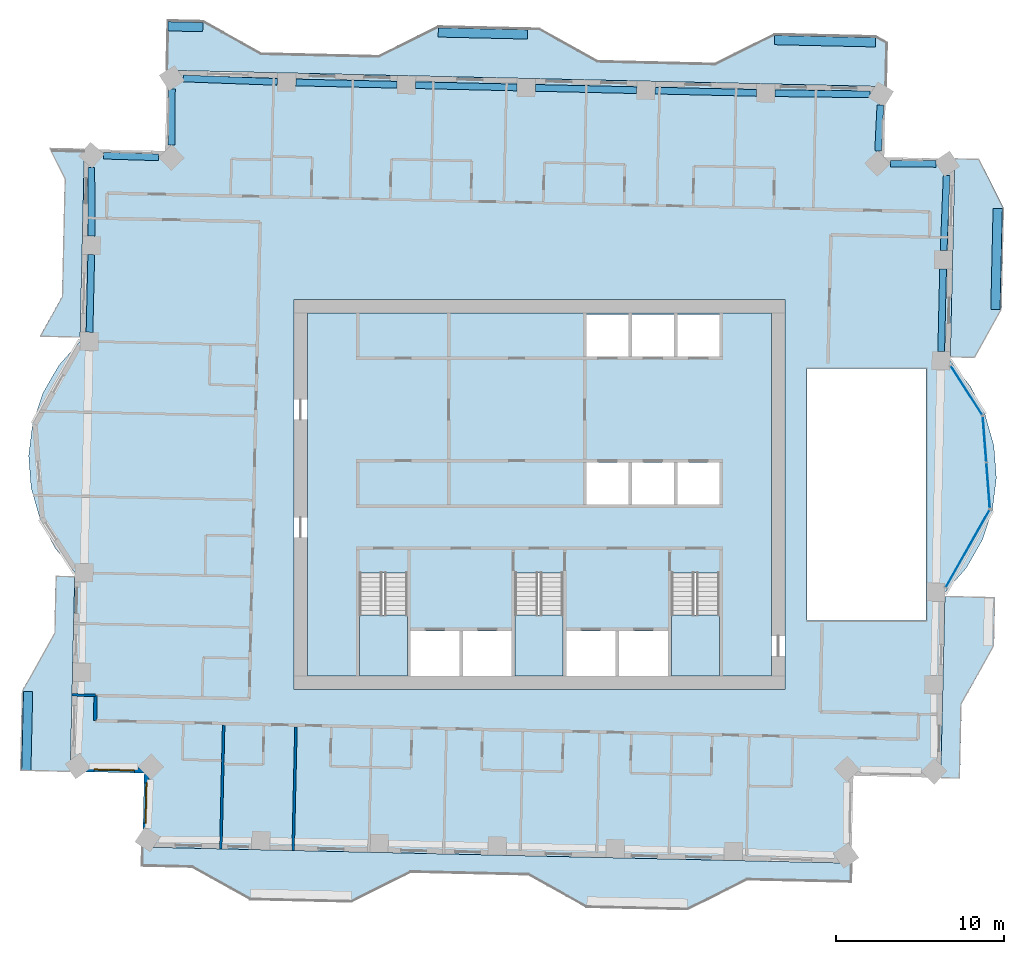
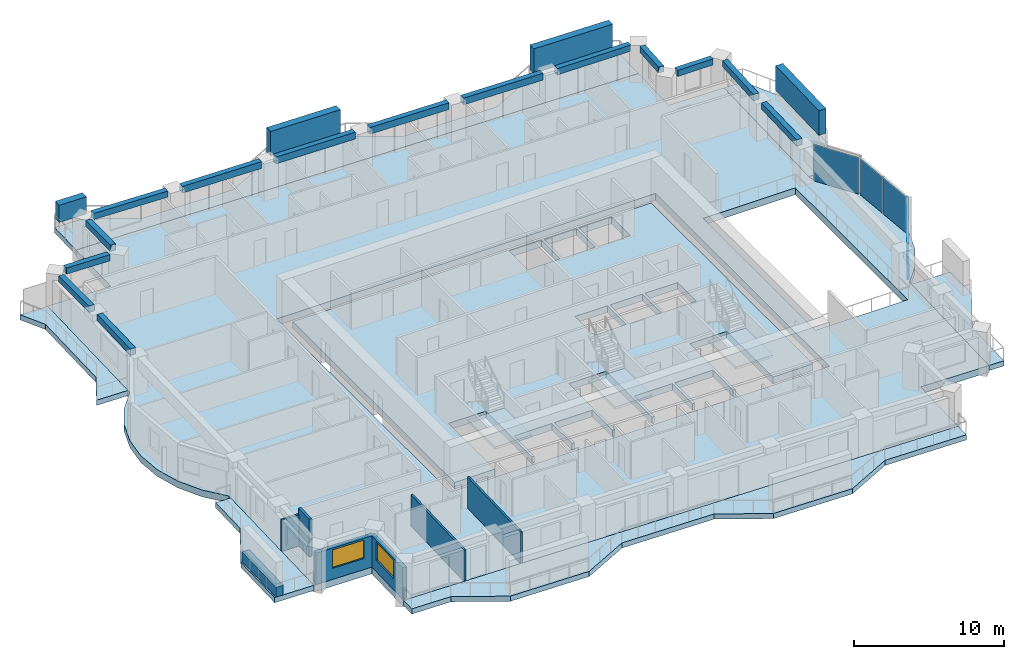
# One storey, part 3 of 14: 14 beams, 11 slabs, 7 walls, 4 members, 4 plates, 2 windows, 2 openings, 6 elements without a shape of their own.
"""IFC4 building model written with IfcOpenShell, lengths in metres."""

from ifc_helpers import new_model, si_unit, direction, frame, frame_2d, origin, origin_2d, place, context, subcontext, project, spatial, polyline, rectangle, outline, extrude, material, layer, layer_set, material_profile, profile_set, type_object, element, fill, aggregate, save


model = new_model("IFC4")

# Units and contexts
model_context = context("Model", 3, precision=1e-05, world=origin(), true_north=direction((0.0, 1.0)))
body_context = subcontext(model_context, "Body", "Model", "MODEL_VIEW")
ifc_project = project(units=[si_unit("LENGTHUNIT", "METRE"), si_unit("AREAUNIT", "SQUARE_METRE"), si_unit("VOLUMEUNIT", "CUBIC_METRE"), si_unit("PLANEANGLEUNIT", "RADIAN"), si_unit("MASSUNIT", "GRAM", prefix="KILO")], contexts=[model_context])

# Site, building, storey
site_placement = place(None, origin())
site = spatial("IfcSite", under=ifc_project, at=site_placement, CompositionType="ELEMENT")
building_placement = place(site_placement, origin())
building = spatial("IfcBuilding", under=site, at=building_placement, Name="Mangrove Gate Tower", CompositionType="ELEMENT")
storey_placement = place(building_placement, frame((0.0, 0.0, 208.699951171875)))
storey = spatial("IfcBuildingStorey", under=building, at=storey_placement, Name="L53", CompositionType="ELEMENT", Elevation=208.699951171875)

# Members
ifc_material_1 = material(Name="Planting on aluminium trellis", Category="aluminium")
ifc_material_profile_1 = material_profile(ifc_material_1, rectangle(XDim=0.550048828125, YDim=1.39990234375, at=origin_2d()))
ifc_profile_set_1 = profile_set([ifc_material_profile_1], Name="Planting on aluminium trellis")
member_type_1 = type_object("IfcMemberType", Name="Balcony greenery screen 550x1400", PredefinedType="USERDEFINED", material=ifc_profile_set_1)
member_1_placement = place(storey_placement, frame((-22.0830078125, 27.8359375, 1.5), z_axis=(0.999744201853, -0.022617048045, 0.0), x_axis=(0.022617048045, 0.999744201853, 0.0)))
element("IfcMember", 1, at=member_1_placement, inside=storey, type_object=member_type_1, Name="GREEN SCREEN L53 N1.1", ObjectType="PLANTING", PredefinedType="USERDEFINED", context=body_context, shape_type="SweptSolid", body=[
    extrude(rectangle(XDim=0.550048828125, YDim=1.39990234375, at=origin_2d()), origin(), (0.0, 0.0, 1.0), 2.072509765625),
])
ifc_material_2 = material(Name="Planting on aluminium trellis", Category="aluminium")
ifc_material_profile_2 = material_profile(ifc_material_2, rectangle(XDim=0.550048828125, YDim=2.0, at=origin_2d()))
ifc_profile_set_2 = profile_set([ifc_material_profile_2], Name="Planting on aluminium trellis")
member_type_2 = type_object("IfcMemberType", Name="Balcony greenery screen 550x2000", PredefinedType="USERDEFINED", material=ifc_profile_set_2)
for number, where, z_axis, x_axis, name in (
    (2, (27.10693359375, 11.0009765625, 1.800048828125), (0.022665943652, 0.999743094499, 0.0), (-0.999743094499, 0.022665943652, 0.0), "GREEN SCREEN L53 E1.1"),
    (3, (13.97998046875, 27.01806640625, 1.800048828125), (0.999743094499, -0.022665943652, 0.0), (0.022665943652, 0.999743094499, 0.0), "GREEN SCREEN L53 N0.1"),
):
    element("IfcMember", number, at=place(storey_placement, frame(where, z_axis=z_axis, x_axis=x_axis)), inside=storey, type_object=member_type_2, Name=name, ObjectType="PLANTING", PredefinedType="USERDEFINED", context=body_context, shape_type="SweptSolid", body=[
        extrude(rectangle(XDim=0.550048828125, YDim=2.0, at=origin_2d()), origin(), (0.0, 0.0, 1.0), 5.99951171875),
    ])
member_2_placement = place(storey_placement, frame((-6.014892578125, 27.471923828125, 1.800048828125), z_axis=(0.999744208111, -0.022616771387, 0.0), x_axis=(0.022616771387, 0.999744208111, 0.0)))
element("IfcMember", 4, at=member_2_placement, inside=storey, type_object=member_type_2, Name="GREEN SCREEN L53 N1.2", ObjectType="PLANTING", PredefinedType="USERDEFINED", context=body_context, shape_type="SweptSolid", body=[
    extrude(rectangle(XDim=0.550048828125, YDim=2.0, at=origin_2d()), origin(), (0.0, 0.0, 1.0), 5.30029296875),
])

# Beams
ifc_material_3 = material(Name="Concrete C50/60", Category="concrete")
ifc_material_profile_3 = material_profile(ifc_material_3, rectangle(XDim=0.39990234375, YDim=0.5, at=origin_2d()))
ifc_profile_set_3 = profile_set([ifc_material_profile_3], Name="Concrete C50/60")
beam_type_1 = type_object("IfcBeamType", Name="Edge beam RC 400x500 C50/60", PredefinedType="BEAM", material=ifc_profile_set_3)
beam_1_placement = place(storey_placement, frame((23.8837890625, 8.499267578125, 2.800048828125), z_axis=(0.022765440356, 0.999740833779, 0.0), x_axis=(-0.999740833779, 0.022765440356, 0.0)))
element("IfcBeam", 5, at=beam_1_placement, inside=storey, type_object=beam_type_1, Name="Edge beam L53 15", PredefinedType="BEAM", context=body_context, shape_type="SweptSolid", body=[
    extrude(rectangle(XDim=0.39990234375, YDim=0.5, at=origin_2d()), origin(), (0.0, 0.0, 1.0), 4.91162109375),
])
beam_2_placement = place(storey_placement, frame((24.030029296875, 14.509033203125, 2.800048828125), z_axis=(0.040042213433, 0.999197988961, 0.0), x_axis=(-0.999197988961, 0.040042213433, 0.0)))
element("IfcBeam", 6, at=beam_2_placement, inside=storey, type_object=beam_type_1, Name="Edge beam L53 16", PredefinedType="BEAM", context=body_context, shape_type="SweptSolid", body=[
    extrude(rectangle(XDim=0.39990234375, YDim=0.5, at=origin_2d()), origin(), (0.0, 0.0, 1.0), 4.46923828125),
])
beam_3_placement = place(storey_placement, frame((23.573486328125, 19.656494140625, 2.800048828125), z_axis=(-0.999988617371, 0.004771281664, 0.0), x_axis=(-0.004771281664, -0.999988617371, 0.0)))
element("IfcBeam", 7, at=beam_3_placement, inside=storey, type_object=beam_type_1, Name="Edge beam L53 17", PredefinedType="BEAM", context=body_context, shape_type="SweptSolid", body=[
    extrude(rectangle(XDim=0.39990234375, YDim=0.5, at=origin_2d()), origin(), (0.0, 0.0, 1.0), 2.7119140625),
])
beam_4_placement = place(storey_placement, frame((20.134765625, 20.429931640625, 2.800048828125), z_axis=(0.04918823776, 0.998789526009, 0.0), x_axis=(-0.998789526009, 0.04918823776, 0.0)))
element("IfcBeam", 8, at=beam_4_placement, inside=storey, type_object=beam_type_1, Name="Edge beam L53 18", PredefinedType="BEAM", context=body_context, shape_type="SweptSolid", body=[
    extrude(rectangle(XDim=0.39990234375, YDim=0.5, at=origin_2d()), origin(), (0.0, 0.0, 1.0), 2.72998046875),
])
beam_5_placement = place(storey_placement, frame((19.6572265625, 23.792236328125, 2.800048828125), z_axis=(-0.999932997046, 0.011575898195, 0.0), x_axis=(-0.011575898195, -0.999932997046, 0.0)))
element("IfcBeam", 9, at=beam_5_placement, inside=storey, type_object=beam_type_1, Name="Edge beam L53 19", PredefinedType="BEAM", context=body_context, shape_type="SweptSolid", body=[
    extrude(rectangle(XDim=0.39990234375, YDim=0.5, at=origin_2d()), origin(), (0.0, 0.0, 1.0), 5.65234375),
])
beam_6_placement = place(storey_placement, frame((-15.582275390625, 24.5302734375, 2.800048828125), z_axis=(-0.999333407376, 0.036506724074, 0.0), x_axis=(-0.036506724074, -0.999333407376, 0.0)))
element("IfcBeam", 10, at=beam_6_placement, inside=storey, type_object=beam_type_1, Name="Edge beam L53 24", PredefinedType="BEAM", context=body_context, shape_type="SweptSolid", body=[
    extrude(rectangle(XDim=0.39990234375, YDim=0.5, at=origin_2d()), origin(), (0.0, 0.0, 1.0), 5.597412109375),
])
beam_7_placement = place(storey_placement, frame((-21.8486328125, 24.103271484375, 2.800048828125), z_axis=(-0.005526405917, -0.999984729302, 0.0), x_axis=(0.999984729302, -0.005526405917, 0.0)))
element("IfcBeam", 11, at=beam_7_placement, inside=storey, type_object=beam_type_1, Name="Edge beam L53 25", PredefinedType="BEAM", context=body_context, shape_type="SweptSolid", body=[
    extrude(rectangle(XDim=0.39990234375, YDim=0.5, at=origin_2d()), origin(), (0.0, 0.0, 1.0), 3.313232421875),
])
beam_8_placement = place(storey_placement, frame((-22.642822265625, 20.048583984375, 2.800048828125), z_axis=(-0.999548316967, 0.030052654614, 0.0), x_axis=(-0.030052654614, -0.999548316967, 0.0)))
element("IfcBeam", 12, at=beam_8_placement, inside=storey, type_object=beam_type_1, Name="Edge beam L53 26", PredefinedType="BEAM", context=body_context, shape_type="SweptSolid", body=[
    extrude(rectangle(XDim=0.39990234375, YDim=0.5, at=origin_2d()), origin(), (0.0, 0.0, 1.0), 3.281982421875),
])
beam_9_placement = place(storey_placement, frame((-26.63623046875, 19.435302734375, 2.800048828125), z_axis=(0.001317521913, -0.999999132068, 0.0), x_axis=(0.999999132068, 0.001317521913, 0.0)))
element("IfcBeam", 13, at=beam_9_placement, inside=storey, type_object=beam_type_1, Name="Edge beam L53 27", PredefinedType="BEAM", context=body_context, shape_type="SweptSolid", body=[
    extrude(rectangle(XDim=0.39990234375, YDim=0.5, at=origin_2d()), origin(), (0.0, 0.0, 1.0), 4.07666015625),
])
beam_10_placement = place(storey_placement, frame((-26.642578125, 14.2587890625, 2.800048828125), z_axis=(-0.022605956435, -0.999744452715, 0.0), x_axis=(0.999744452715, -0.022605956435, 0.0)))
element("IfcBeam", 14, at=beam_10_placement, inside=storey, type_object=beam_type_1, Name="Edge beam L53 28", PredefinedType="BEAM", context=body_context, shape_type="SweptSolid", body=[
    extrude(rectangle(XDim=0.39990234375, YDim=0.5, at=origin_2d()), origin(), (0.0, 0.0, 1.0), 4.611572265625),
])
ifc_material_4 = material(Name="Concrete C50/60", Category="concrete")
ifc_material_profile_4 = material_profile(ifc_material_4, rectangle(XDim=0.39990234375, YDim=0.550048828125, at=origin_2d()))
ifc_profile_set_4 = profile_set([ifc_material_profile_4], Name="Concrete C50/60")
beam_type_2 = type_object("IfcBeamType", Name="Edge beam RC 400x550 C50/60", PredefinedType="BEAM", material=ifc_profile_set_4)
for number, where, z_axis, x_axis, name in (
    (15, (12.905517578125, 23.876708984375, 2.775146484375), (-0.999741479717, 0.022737056396, 0.0), (-0.022737056396, -0.999741479717, 0.0), "Edge beam L53 20"),
    (16, (5.78369140625, 24.03857421875, 2.775146484375), (-0.999744236189, 0.022615530214, 0.0), (-0.022615530214, -0.999744236189, 0.0), "Edge beam L53 21"),
    (17, (-1.33837890625, 24.19970703125, 2.775146484375), (-0.999741479717, 0.022737056396, 0.0), (-0.022737056396, -0.999741479717, 0.0), "Edge beam L53 22"),
    (18, (-8.46044921875, 24.361572265625, 2.775146484375), (-0.999744236189, 0.022615530214, 0.0), (-0.022615530214, -0.999744236189, 0.0), "Edge beam L53 23"),
):
    element("IfcBeam", number, at=place(storey_placement, frame(where, z_axis=z_axis, x_axis=x_axis)), inside=storey, type_object=beam_type_2, Name=name, PredefinedType="BEAM", context=body_context, shape_type="SweptSolid", body=[
        extrude(rectangle(XDim=0.39990234375, YDim=0.550048828125, at=origin_2d()), origin(), (0.0, 0.0, 1.0), 6.023681640625),
    ])

# Curtain wall, plate
ifc_material_5 = material(Name="Aluminium and glass curtain wall", Category="aluminium")
curtain_wall_type = type_object("IfcCurtainWallType", Name="Atrium garden-court glazing wall", PredefinedType="NOTDEFINED", material=ifc_material_5)
curtain_wall_1_placement = place(storey_placement, origin())
curtain_wall_1 = element("IfcCurtainWall", 19, at=curtain_wall_1_placement, inside=storey, type_object=curtain_wall_type, Name="Atrium garden-court glazing E1f1", PredefinedType="NOTDEFINED")
ifc_material_6 = material(Name="Laminated low-e glass", Category="glass")
ifc_layer_1 = layer(ifc_material_6, 0.031982421875)
ifc_layer_set_1 = layer_set([ifc_layer_1], Name="Atrium garden-court glazing panel 32")
plate_type = type_object("IfcPlateType", Name="Atrium garden-court glazing panel 32", PredefinedType="CURTAIN_PANEL", material=ifc_layer_set_1)
plate_1_placement = place(storey_placement, frame((25.4541015625, -3.217041015625, 0.0), z_axis=(0.0, 0.0, 1.0), x_axis=(0.492599932635, 0.870255885569, 0.0)))
plate_1 = element("IfcPlate", 20, at=plate_1_placement, type_object=plate_type, Name="CWA panel 1.1", PredefinedType="CURTAIN_PANEL", context=body_context, shape_type="SweptSolid", body=[
    extrude(rectangle(XDim=5.258544921875, YDim=0.031982421875, at=origin_2d()), origin(), (0.0, 0.0, 1.0), 2.97998046875),
])
aggregate(curtain_wall_1, [plate_1])

# Curtain wall, plates
curtain_wall_2_placement = place(storey_placement, origin())
curtain_wall_2 = element("IfcCurtainWall", 21, at=curtain_wall_2_placement, inside=storey, type_object=curtain_wall_type, Name="Atrium garden-court glazing E1f2", PredefinedType="NOTDEFINED")
plate_2_placement = place(storey_placement, frame((26.67529296875, 0.538818359375, 0.0), z_axis=(0.0, 0.0, 1.0), x_axis=(-0.077023348229, 0.997029289353, 0.0)))
plate_2 = element("IfcPlate", 22, at=plate_2_placement, type_object=plate_type, Name="CWA panel 1.1", PredefinedType="CURTAIN_PANEL", context=body_context, shape_type="SweptSolid", body=[
    extrude(rectangle(XDim=2.681640625, YDim=0.031982421875, at=origin_2d()), origin(), (0.0, 0.0, 1.0), 2.97998046875),
])
plate_3_placement = place(storey_placement, frame((26.463134765625, 3.2822265625, 0.0), z_axis=(0.0, 0.0, 1.0), x_axis=(-0.077023348229, 0.997029289353, 0.0)))
plate_3 = element("IfcPlate", 23, at=plate_3_placement, type_object=plate_type, Name="CWA panel 2.1", PredefinedType="CURTAIN_PANEL", context=body_context, shape_type="SweptSolid", body=[
    extrude(rectangle(XDim=2.681640625, YDim=0.031982421875, at=origin_2d()), origin(), (0.0, 0.0, 1.0), 2.97998046875),
])
aggregate(curtain_wall_2, [plate_2, plate_3])

# Curtain wall, plate
curtain_wall_3_placement = place(storey_placement, origin())
curtain_wall_3 = element("IfcCurtainWall", 24, at=curtain_wall_3_placement, inside=storey, type_object=curtain_wall_type, Name="Atrium garden-court glazing E1f3", PredefinedType="NOTDEFINED")
plate_4_placement = place(storey_placement, frame((25.389892578125, 6.190185546875, 0.0), z_axis=(0.0, 0.0, 1.0), x_axis=(-0.540523066602, 0.841329195067, 0.0)))
plate_4 = element("IfcPlate", 25, at=plate_4_placement, type_object=plate_type, Name="CWA panel 1.1", PredefinedType="CURTAIN_PANEL", context=body_context, shape_type="SweptSolid", body=[
    extrude(rectangle(XDim=3.428955078125, YDim=0.031982421875, at=origin_2d()), origin(), (0.0, 0.0, 1.0), 2.97998046875),
])
aggregate(curtain_wall_3, [plate_4])

# Slabs
ifc_material_7 = material(Name="Porcelain tile")
ifc_layer_2 = layer(ifc_material_7, 0.02001953125, Name="Tile finish")
ifc_material_8 = material(Name="Cement sand screed")
ifc_layer_3 = layer(ifc_material_8, 0.0400390625, Name="Screed laid to falls")
ifc_material_9 = material(Name="Bituminous waterproofing membrane")
ifc_layer_4 = layer(ifc_material_9, 0.00390625, Name="Waterproofing")
ifc_material_10 = material(Name="Concrete C40/50", Category="concrete")
ifc_layer_5 = layer(ifc_material_10, 0.340087890625, Name="Balcony structural slab")
ifc_material_11 = material(Name="Limestone", Category="masonry")
ifc_layer_6 = layer(ifc_material_11, 0.01611328125, Name="Soffit lining")
ifc_layer_set_2 = layer_set([ifc_layer_2, ifc_layer_3, ifc_layer_4, ifc_layer_5, ifc_layer_6], Name="Balcony slab 420 C40/50")
slab_type_1 = type_object("IfcSlabType", Name="Balcony slab 420 C40/50", PredefinedType="FLOOR", material=ifc_layer_set_2)
slab_1_placement = place(storey_placement, frame((0.0, 0.0, -0.419921875)))
element("IfcSlab", 26, at=slab_1_placement, inside=storey, type_object=slab_type_1, Name="BALCONY L53 E0", PredefinedType="FLOOR", context=body_context, shape_type="SweptSolid", body=[
    extrude(outline(polyline([(24.9990234375, -16.85791015625), (25.09912109375, -12.458984375), (27.028076171875, -9.001953125), (27.093017578125, -6.1279296875), (24.10400390625, -6.06005859375), (24.0380859375, -8.93408203125), (23.958984375, -12.43310546875), (23.85888671875, -16.83203125), (24.9990234375, -16.85791015625)])), origin(), (0.0, 0.0, 1.0), 0.419921875),
])
slab_2_placement = place(storey_placement, frame((0.0, 0.0, -0.419921875)))
element("IfcSlab", 27, at=slab_2_placement, inside=storey, type_object=slab_type_1, Name="BALCONY L53 E1", PredefinedType="FLOOR", context=body_context, shape_type="SweptSolid", body=[
    extrude(outline(polyline([(25.89697265625, 8.153076171875), (27.48095703125, 10.992919921875), (27.617919921875, 16.990966796875), (26.15087890625, 19.925048828125), (24.694091796875, 19.9580078125), (24.6279296875, 17.05908203125), (24.491943359375, 11.06005859375), (24.427001953125, 8.18701171875), (25.89697265625, 8.153076171875)])), origin(), (0.0, 0.0, 1.0), 0.419921875),
])
slab_3_placement = place(storey_placement, frame((0.0, 0.0, -0.419921875)))
element("IfcSlab", 28, at=slab_3_placement, inside=storey, type_object=slab_type_1, Name="BALCONY L53 N0", PredefinedType="FLOOR", context=body_context, shape_type="SweptSolid", body=[
    extrude(outline(polyline([(20.64990234375, 26.885986328125), (19.987060546875, 27.257080078125), (13.988037109375, 27.39306640625), (10.447021484375, 25.623046875), (3.448974609375, 25.781982421875), (-0.008056640625, 27.7109375), (-0.7080078125, 27.72607421875), (-6.007080078125, 27.846923828125), (-9.548095703125, 26.077880859375), (-16.5458984375, 26.235107421875), (-20.0029296875, 28.1640625), (-22.074951171875, 28.2109375), (-22.14208984375, 25.221923828125), (20.590087890625, 24.251953125), (20.64990234375, 26.885986328125)])), origin(), (0.0, 0.0, 1.0), 0.419921875),
])
slab_4_placement = place(storey_placement, frame((0.0, 0.0, -0.419921875)))
element("IfcSlab", 29, at=slab_4_placement, inside=storey, type_object=slab_type_1, Name="BALCONY L53 W0", PredefinedType="FLOOR", context=body_context, shape_type="SweptSolid", body=[
    extrude(outline(polyline([(-29.14111328125, 20.580078125), (-28.23095703125, 18.759033203125), (-28.389892578125, 11.760009765625), (-29.697998046875, 9.4150390625), (-27.303955078125, 9.360107421875), (-27.25, 11.735107421875), (-27.091064453125, 18.73291015625), (-27.050048828125, 20.531982421875), (-29.14111328125, 20.580078125)])), origin(), (0.0, 0.0, 1.0), 0.419921875),
])
slab_5_placement = place(storey_placement, frame((0.0, 0.0, -0.419921875)))
element("IfcSlab", 30, at=slab_5_placement, inside=storey, type_object=slab_type_1, Name="BALCONY L53 W1", PredefinedType="FLOOR", context=body_context, shape_type="SweptSolid", body=[
    extrude(outline(polyline([(-28.76708984375, -4.861083984375), (-28.843017578125, -8.23388671875), (-30.77197265625, -11.69189453125), (-30.87890625, -16.389892578125), (-27.889892578125, -16.4580078125), (-27.782958984375, -11.759033203125), (-27.7041015625, -8.260009765625), (-27.626953125, -4.886962890625), (-28.76708984375, -4.861083984375)])), origin(), (0.0, 0.0, 1.0), 0.419921875),
])
slab_6_placement = place(storey_placement, frame((0.0, 0.0, -0.419921875)))
element("IfcSlab", 31, at=slab_6_placement, inside=storey, type_object=slab_type_1, Name="BALCONY L53 S0", PredefinedType="FLOOR", context=body_context, shape_type="SweptSolid", body=[
    extrude(outline(polyline([(-23.615966796875, -22.096923828125), (-20.64501953125, -22.1640625), (-17.18798828125, -24.093017578125), (-11.18994140625, -24.22900390625), (-7.64892578125, -22.458984375), (-0.64990234375, -22.617919921875), (2.806884765625, -24.547119140625), (8.804931640625, -24.68310546875), (12.345947265625, -22.9140625), (18.51708984375, -23.052978515625), (18.54296875, -21.9130859375), (-23.591064453125, -20.95703125), (-23.615966796875, -22.096923828125)])), origin(), (0.0, 0.0, 1.0), 0.419921875),
])
ifc_material_12 = material(Name="Concrete C40/50", Category="concrete")
ifc_layer_7 = layer(ifc_material_12, 0.550048828125)
ifc_layer_set_3 = layer_set([ifc_layer_7], Name="Core floor slab 550 C40/50")
slab_type_2 = type_object("IfcSlabType", Name="Core floor slab 550 C40/50", PredefinedType="FLOOR", material=ifc_layer_set_3)
slab_7_placement = place(storey_placement, frame((0.0, 0.0, -0.550048828125)))
element("IfcSlab", 32, at=slab_7_placement, inside=storey, type_object=slab_type_2, Name="SLAB-L53-CORE-1", PredefinedType="FLOOR", context=body_context, shape_type="SweptSolid", body=[
    extrude(outline(polyline([(-13.800048828125, -10.800048828125), (-13.800048828125, 10.800048828125), (13.800048828125, 10.800048828125), (13.800048828125, -10.800048828125), (10.699951171875, -10.800048828125), (10.699951171875, -4.653076171875), (7.85009765625, -4.653076171875), (7.85009765625, -10.800048828125), (7.64990234375, -10.800048828125), (7.64990234375, -8.10009765625), (4.72509765625, -8.10009765625), (4.72509765625, -10.800048828125), (4.52490234375, -10.800048828125), (4.52490234375, -8.10009765625), (1.60009765625, -8.10009765625), (1.60009765625, -10.800048828125), (1.39990234375, -10.800048828125), (1.39990234375, -4.653076171875), (-1.449951171875, -4.653076171875), (-1.449951171875, -10.800048828125), (-1.64990234375, -10.800048828125), (-1.64990234375, -8.10009765625), (-4.550048828125, -8.10009765625), (-4.550048828125, -10.800048828125), (-4.75, -10.800048828125), (-4.75, -8.10009765625), (-7.64990234375, -8.10009765625), (-7.64990234375, -10.800048828125), (-7.85009765625, -10.800048828125), (-7.85009765625, -4.653076171875), (-10.699951171875, -4.653076171875), (-10.699951171875, -10.800048828125), (-13.800048828125, -10.800048828125)]), holes=[polyline([(5.300048828125, -0.60009765625), (5.300048828125, 1.89990234375), (2.800048828125, 1.89990234375), (2.800048828125, -0.60009765625), (5.300048828125, -0.60009765625)]), polyline([(5.300048828125, 10.699951171875), (2.800048828125, 10.699951171875), (2.800048828125, 8.199951171875), (5.300048828125, 8.199951171875), (5.300048828125, 10.699951171875)]), polyline([(8.0, -0.60009765625), (8.0, 1.89990234375), (5.5, 1.89990234375), (5.5, -0.60009765625), (8.0, -0.60009765625)]), polyline([(10.699951171875, -0.60009765625), (10.699951171875, 1.89990234375), (8.199951171875, 1.89990234375), (8.199951171875, -0.60009765625), (10.699951171875, -0.60009765625)]), polyline([(8.0, 8.199951171875), (8.0, 10.699951171875), (5.5, 10.699951171875), (5.5, 8.199951171875), (8.0, 8.199951171875)]), polyline([(10.699951171875, 8.199951171875), (10.699951171875, 10.699951171875), (8.199951171875, 10.699951171875), (8.199951171875, 8.199951171875), (10.699951171875, 8.199951171875)])]), origin(), (0.0, 0.0, 1.0), 0.550048828125),
])

# Stair, slab
ifc_material_13 = material(Name="Concrete C40/50", Category="concrete")
stair_type = type_object("IfcStairType", Name="Core stair 1350", PredefinedType="HALF_TURN_STAIR", material=ifc_material_13)
stair_1_placement = place(storey_placement, origin())
stair_1 = element("IfcStair", 33, at=stair_1_placement, inside=storey, type_object=stair_type, Name="L53 Stair 1", PredefinedType="HALF_TURN_STAIR")
ifc_material_14 = material(Name="Concrete C40/50", Category="concrete")
ifc_layer_8 = layer(ifc_material_14, 0.199951171875)
ifc_layer_set_4 = layer_set([ifc_layer_8], Name="Core stair landing 200")
slab_type_3 = type_object("IfcSlabType", Name="Core stair landing 200", PredefinedType="LANDING", material=ifc_layer_set_4)
slab_8_placement = place(storey_placement, frame((0.0, 0.0, 1.60009765625)))
slab_8 = element("IfcSlab", 34, at=slab_8_placement, type_object=slab_type_3, Name="ST1 landing 1", PredefinedType="LANDING", context=body_context, shape_type="SweptSolid", body=[
    extrude(outline(polyline([(-10.699951171875, -7.169921875), (-10.699951171875, -10.800048828125), (-7.85009765625, -10.800048828125), (-7.85009765625, -7.169921875), (-10.699951171875, -7.169921875)])), origin(), (0.0, 0.0, 1.0), 0.199951171875),
])
aggregate(stair_1, [slab_8])

stair_2_placement = place(storey_placement, origin())
stair_2 = element("IfcStair", 35, at=stair_2_placement, inside=storey, type_object=stair_type, Name="L53 Stair 2", PredefinedType="HALF_TURN_STAIR")
slab_9_placement = place(storey_placement, frame((0.0, 0.0, 1.60009765625)))
slab_9 = element("IfcSlab", 36, at=slab_9_placement, type_object=slab_type_3, Name="ST2 landing 1", PredefinedType="LANDING", context=body_context, shape_type="SweptSolid", body=[
    extrude(outline(polyline([(-1.449951171875, -7.169921875), (-1.449951171875, -10.800048828125), (1.39990234375, -10.800048828125), (1.39990234375, -7.169921875), (-1.449951171875, -7.169921875)])), origin(), (0.0, 0.0, 1.0), 0.199951171875),
])
aggregate(stair_2, [slab_9])

stair_3_placement = place(storey_placement, origin())
stair_3 = element("IfcStair", 37, at=stair_3_placement, inside=storey, type_object=stair_type, Name="L53 Stair 3", PredefinedType="HALF_TURN_STAIR")
slab_10_placement = place(storey_placement, frame((0.0, 0.0, 1.60009765625)))
slab_10 = element("IfcSlab", 38, at=slab_10_placement, type_object=slab_type_3, Name="ST3 landing 1", PredefinedType="LANDING", context=body_context, shape_type="SweptSolid", body=[
    extrude(outline(polyline([(7.85009765625, -7.169921875), (7.85009765625, -10.800048828125), (10.699951171875, -10.800048828125), (10.699951171875, -7.169921875), (7.85009765625, -7.169921875)])), origin(), (0.0, 0.0, 1.0), 0.199951171875),
])
aggregate(stair_3, [slab_10])

# Slab
ifc_material_15 = material(Name="Concrete C40/50", Category="concrete")
ifc_layer_9 = layer(ifc_material_15, 0.550048828125)
ifc_layer_set_5 = layer_set([ifc_layer_9], Name="Floor slab 550 C40/50")
slab_type_4 = type_object("IfcSlabType", Name="Floor slab 550 C40/50", PredefinedType="FLOOR", material=ifc_layer_set_5)
slab_11_placement = place(storey_placement, frame((0.0, 0.0, -0.550048828125)))
element("IfcSlab", 39, at=slab_11_placement, inside=storey, type_object=slab_type_4, Name="Floor slab L53", PredefinedType="FLOOR", context=body_context, shape_type="SweptSolid", body=[
    extrude(outline(polyline([(-23.590576171875, -20.95703125), (18.54248046875, -21.9130859375), (18.66064453125, -16.71435546875), (23.859130859375, -16.832275390625), (24.109375, -5.810546875), (25.372314453125, -4.3740234375), (26.325439453125, -2.715576171875), (26.930908203125, -0.901123046875), (27.16455078125, 0.997314453125), (27.017333984375, 2.904296875), (26.494873046875, 4.744384765625), (25.617919921875, 6.4443359375), (24.42138671875, 7.9365234375), (24.694091796875, 19.958251953125), (20.4951171875, 20.053466796875), (20.590576171875, 24.25244140625), (-22.142578125, 25.22216796875), (-22.25146484375, 20.42333984375), (-27.050048828125, 20.5322265625), (-27.309326171875, 9.110595703125), (-28.572265625, 7.674072265625), (-29.525390625, 6.015625), (-30.130859375, 4.201171875), (-30.364501953125, 2.302734375), (-30.21728515625, 0.395751953125), (-29.69482421875, -1.4443359375), (-28.81787109375, -3.144287109375), (-27.621337890625, -4.636474609375), (-27.8896484375, -16.458251953125), (-23.49072265625, -16.55810546875), (-23.590576171875, -20.95703125)]), holes=[polyline([(15.89990234375, 7.5), (22.9951171875, 7.5), (22.9951171875, -7.5), (15.89990234375, -7.5), (15.89990234375, 7.5)]), polyline([(-14.60009765625, -11.60009765625), (-14.60009765625, 11.60009765625), (14.60009765625, 11.60009765625), (14.60009765625, -11.60009765625), (-14.60009765625, -11.60009765625)])]), origin(), (0.0, 0.0, 1.0), 0.550048828125),
])

# Wall
ifc_material_16 = material(Name="Gypsum board on steel stud, EI 60", Category="steel")
ifc_layer_10 = layer(ifc_material_16, 0.199951171875)
ifc_layer_set_6 = layer_set([ifc_layer_10], Name="Corridor wall EI 60")
wall_type_1 = type_object("IfcWallType", Name="Corridor wall EI 60", PredefinedType="PARTITIONING", material=ifc_layer_set_6)
wall_1_placement = place(storey_placement, frame((-26.4189453125, -13.44091796875, 0.0), z_axis=(0.0, 0.0, 1.0), x_axis=(0.022617910375, 0.999744182344, 0.0)))
element("IfcWall", 40, at=wall_1_placement, inside=storey, type_object=wall_type_1, Name="WALL-L53-025", PredefinedType="PARTITIONING", context=body_context, shape_type="SweptSolid", body=[
    extrude(rectangle(XDim=1.50048828125, YDim=0.199951171875, at=frame_2d((0.750244140625, 0.0))), origin(), (0.0, 0.0, 1.0), 3.050048828125),
])

# Wall, opening, window
ifc_layer_11 = layer(ifc_material_11, 0.0400390625, Name="Limestone cladding")
ifc_material_17 = material(Name="Ventilated air gap")
ifc_layer_12 = layer(ifc_material_17, 0.0400390625, Name="Ventilated cavity")
ifc_material_18 = material(Name="Mineral wool insulation")
ifc_layer_13 = layer(ifc_material_18, 0.06005859375, Name="Insulation")
ifc_material_19 = material(Name="Breather membrane")
ifc_layer_14 = layer(ifc_material_19, 0.001953125, Name="Breather membrane")
ifc_material_20 = material(Name="Concrete C20/25 blockwork", Category="masonry")
ifc_layer_15 = layer(ifc_material_20, 0.14990234375, Name="Blockwork backing wall")
ifc_material_21 = material(Name="Gypsum plaster")
ifc_layer_16 = layer(ifc_material_21, 0.008056640625, Name="Internal plaster")
ifc_layer_set_7 = layer_set([ifc_layer_11, ifc_layer_12, ifc_layer_13, ifc_layer_14, ifc_layer_15, ifc_layer_16], Name="External wall 300 limestone cladding")
wall_type_2 = type_object("IfcWallType", Name="External wall 300 limestone cladding", PredefinedType="SOLIDWALL", material=ifc_layer_set_7)
wall_2_placement = place(storey_placement, frame((-27.736083984375, -16.31201171875, 0.0), z_axis=(0.0, 0.0, 1.0), x_axis=(0.999747504193, -0.022470599878, 0.0)))
wall_2 = element("IfcWall", 41, at=wall_2_placement, inside=storey, type_object=wall_type_2, Name="WALL-L53-S11", PredefinedType="SOLIDWALL", context=body_context, shape_type="SweptSolid", body=[
    extrude(rectangle(XDim=4.400390625, YDim=0.300048828125, at=frame_2d((2.2001953125, 0.0))), origin(), (0.0, 0.0, 1.0), 2.550048828125),
])
opening_1_placement = place(wall_2_placement, frame((1.260986328125, 0.0, 0.89990234375)))
opening_1 = element("IfcOpeningElement", 42, at=opening_1_placement, cuts=wall_2, Name="Opening W2", PredefinedType="OPENING", context=body_context, shape_type="SweptSolid", body=[
    extrude(rectangle(XDim=2.39990234375, YDim=1.5, at=frame_2d((1.199951171875, 0.75))), frame((0.0, 0.159912109375, 0.0), z_axis=(0.0, -1.0, 0.0), x_axis=(1.0, 0.0, 0.0)), (0.0, 0.0, 1.0), 0.320068359375),
])
ifc_material_22 = material(Name="Aluminium frame with double-glazed low-e glass", Category="aluminium")
window_type = type_object("IfcWindowType", Name="Corner room window 2400x1500", PartitioningType="DOUBLE_PANEL_VERTICAL", PredefinedType="WINDOW", material=ifc_material_22)
window_1_placement = place(opening_1_placement, origin())
window_1 = element("IfcWindow", 43, at=window_1_placement, inside=storey, type_object=window_type, Name="WIN-L53-S11-1", OverallHeight=1.5, OverallWidth=2.39990234375, PartitioningType="DOUBLE_PANEL_VERTICAL", PredefinedType="WINDOW", context=body_context, shape_type="SweptSolid", body=[
    extrude(rectangle(XDim=2.39990234375, YDim=1.5, at=frame_2d((1.199951171875, 0.75))), frame((0.0, 0.030029296875, 0.0), z_axis=(0.0, -1.0, 0.0), x_axis=(1.0, 0.0, 0.0)), (0.0, 0.0, 1.0), 0.06005859375),
])
fill(opening_1, window_1)

wall_3_placement = place(storey_placement, frame((-23.3369140625, -16.410888671875, 0.0), z_axis=(0.0, 0.0, 1.0), x_axis=(-0.022747872013, -0.999741233679, 0.0)))
wall_3 = element("IfcWall", 44, at=wall_3_placement, inside=storey, type_object=wall_type_2, Name="WALL-L53-W12", PredefinedType="SOLIDWALL", context=body_context, shape_type="SweptSolid", body=[
    extrude(rectangle(XDim=4.400390625, YDim=0.300048828125, at=frame_2d((2.2001953125, 0.0))), origin(), (0.0, 0.0, 1.0), 2.550048828125),
])
opening_2_placement = place(wall_3_placement, frame((0.73193359375, 0.0, 0.89990234375)))
opening_2 = element("IfcOpeningElement", 45, at=opening_2_placement, cuts=wall_3, Name="Opening W2", PredefinedType="OPENING", context=body_context, shape_type="SweptSolid", body=[
    extrude(rectangle(XDim=2.39990234375, YDim=1.5, at=frame_2d((1.199951171875, 0.75))), frame((0.0, 0.159912109375, 0.0), z_axis=(0.0, -1.0, 0.0), x_axis=(1.0, 0.0, 0.0)), (0.0, 0.0, 1.0), 0.320068359375),
])
window_2_placement = place(opening_2_placement, origin())
window_2 = element("IfcWindow", 46, at=window_2_placement, inside=storey, type_object=window_type, Name="WIN-L53-W12-1", OverallHeight=1.5, OverallWidth=2.39990234375, PartitioningType="DOUBLE_PANEL_VERTICAL", PredefinedType="WINDOW", context=body_context, shape_type="SweptSolid", body=[
    extrude(rectangle(XDim=2.39990234375, YDim=1.5, at=frame_2d((1.199951171875, 0.75))), frame((0.0, 0.030029296875, 0.0), z_axis=(0.0, -1.0, 0.0), x_axis=(1.0, 0.0, 0.0)), (0.0, 0.0, 1.0), 0.06005859375),
])
fill(opening_2, window_2)

# Walls
ifc_material_23 = material(Name="Gypsum board on steel stud, EI 60", Category="steel")
ifc_layer_17 = layer(ifc_material_23, 0.14990234375)
ifc_layer_set_8 = layer_set([ifc_layer_17], Name="Party wall 150 EI 60")
wall_type_3 = type_object("IfcWallType", Name="Party wall 150 EI 60", PredefinedType="PARTITIONING", material=ifc_layer_set_8)
for number, where, z_axis, x_axis, name in (
    (47, (-18.93994140625, -21.06201171875, 0.0), (0.0, 0.0, 1.0), (0.022720650804, 0.999741852694, 0.0), "WALL-L53-001"),
    (48, (-14.64111328125, -21.159912109375, 0.0), (0.0, 0.0, 1.0), (0.022720650804, 0.999741852694, 0.0), "WALL-L53-002"),
):
    element("IfcWall", number, at=place(storey_placement, frame(where, z_axis=z_axis, x_axis=x_axis)), inside=storey, type_object=wall_type_3, Name=name, PredefinedType="PARTITIONING", context=body_context, shape_type="SweptSolid", body=[
        extrude(rectangle(XDim=7.349853515625, YDim=0.14990234375, at=frame_2d((3.6748046875, 0.0))), origin(), (0.0, 0.0, 1.0), 2.550048828125),
    ])
wall_4_placement = place(storey_placement, frame((-27.785888671875, -11.908935546875, 0.0), z_axis=(0.0, 0.0, 1.0), x_axis=(0.999740216184, -0.022792545827, 0.0)))
element("IfcWall", 49, at=wall_4_placement, inside=storey, type_object=wall_type_3, Name="WALL-L53-027", PredefinedType="PARTITIONING", context=body_context, shape_type="SweptSolid", body=[
    extrude(rectangle(XDim=1.403076171875, YDim=0.14990234375, at=frame_2d((0.70166015625, 0.0))), origin(), (0.0, 0.0, 1.0), 2.550048828125),
])
ifc_material_24 = material(Name="Concrete C32/40", Category="concrete")
ifc_layer_18 = layer(ifc_material_24, 0.199951171875, Name="Planter trough wall")
ifc_layer_19 = layer(ifc_material_9, 0.0048828125, Name="Waterproofing")
ifc_material_25 = material(Name="Drainage board and gravel")
ifc_layer_20 = layer(ifc_material_25, 0.044921875, Name="Drainage layer")
ifc_material_26 = material(Name="Planting soil")
ifc_layer_21 = layer(ifc_material_26, 0.300048828125, Name="Growing medium")
ifc_layer_set_9 = layer_set([ifc_layer_18, ifc_layer_19, ifc_layer_20, ifc_layer_21], Name="Planter wall 550 C32/40")
wall_type_4 = type_object("IfcWallType", Name="Planter wall 550 C32/40", PredefinedType="USERDEFINED", material=ifc_layer_set_9)
wall_5_placement = place(storey_placement, frame((-30.50390625, -16.39892578125, 0.0), z_axis=(0.0, 0.0, 1.0), x_axis=(0.022750903005, 0.999741164708, 0.0)))
element("IfcWall", 50, at=wall_5_placement, inside=storey, type_object=wall_type_4, Name="PLANTER L53 W1.1", ObjectType="PLANTER", PredefinedType="USERDEFINED", context=body_context, shape_type="SweptSolid", body=[
    extrude(rectangle(XDim=4.7001953125, YDim=0.550048828125, at=frame_2d((2.35009765625, 0.0))), origin(), (0.0, 0.0, 1.0), 0.800048828125),
])

save(model, "model.ifc")
